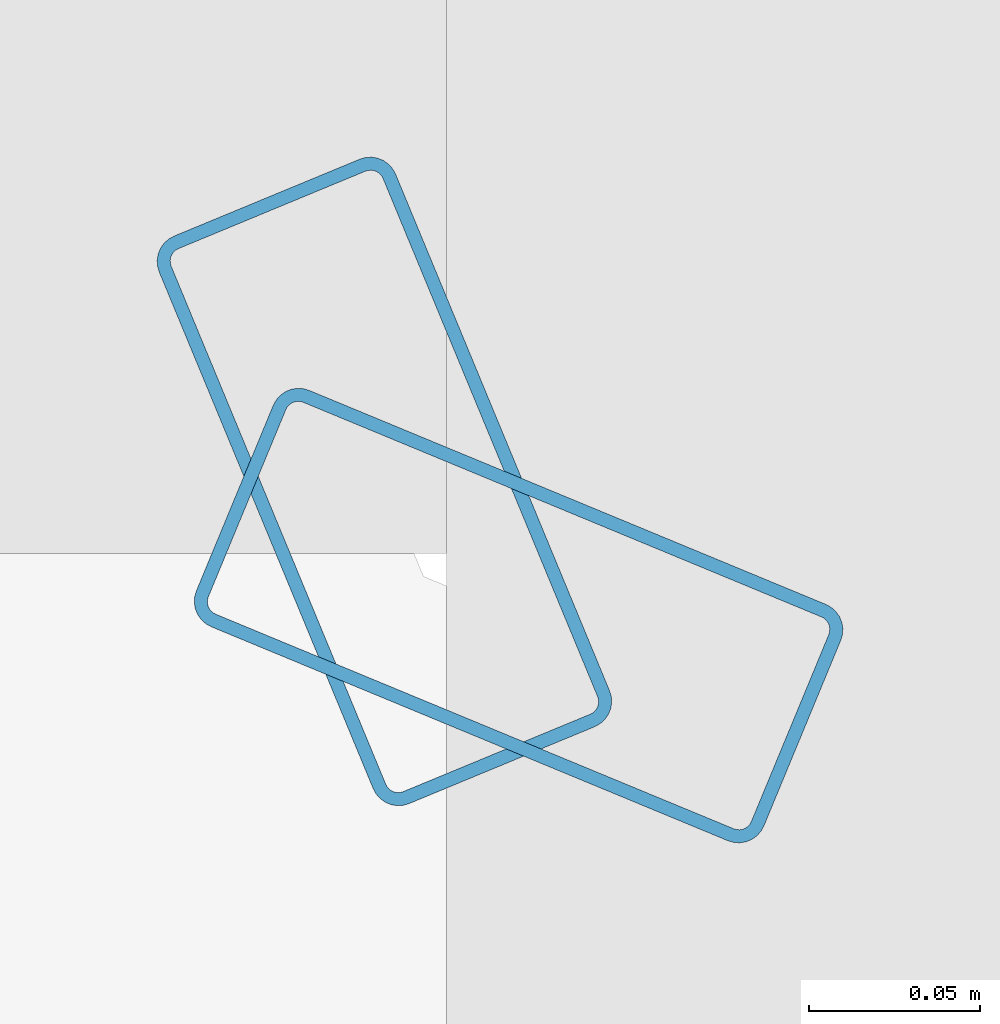
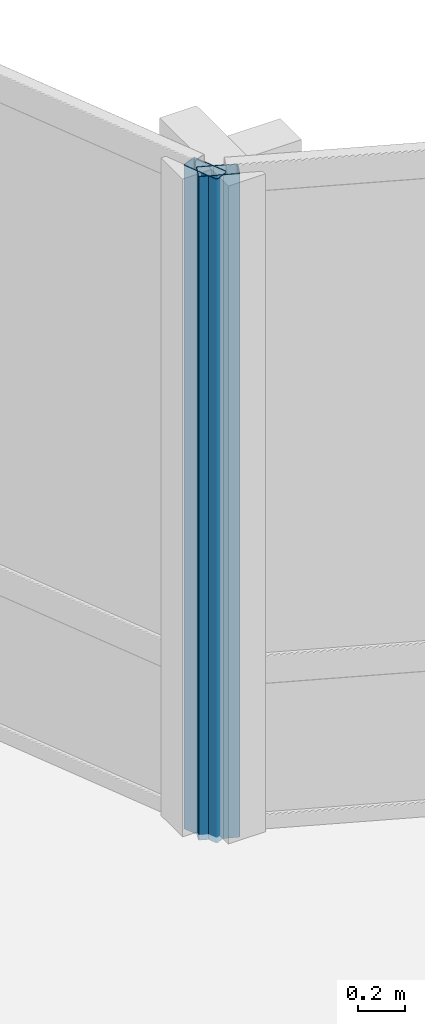
# One storey, part 8 of 28: 2 members, 2 elements without a shape of their own.
"""IFC4 building model written with IfcOpenShell, lengths in metres."""

from ifc_helpers import new_model, si_unit, direction, frame, origin, origin_2d, place, context, subcontext, project, spatial, hollow_rectangle, extrude, material, layer, layer_set, material_profile, profile_set, type_object, element, aggregate, save


model = new_model("IFC4")

# Units and contexts
model_context = context("Model", 3, precision=1e-05, world=origin(), true_north=direction((0.0, 1.0)))
body_context = subcontext(model_context, "Body", "Model", "MODEL_VIEW")
ifc_project = project(units=[si_unit("LENGTHUNIT", "METRE"), si_unit("AREAUNIT", "SQUARE_METRE"), si_unit("VOLUMEUNIT", "CUBIC_METRE"), si_unit("PLANEANGLEUNIT", "RADIAN"), si_unit("MASSUNIT", "GRAM", prefix="KILO")], contexts=[model_context])

# Site, building, storey
site_placement = place(None, origin())
site = spatial("IfcSite", under=ifc_project, at=site_placement, CompositionType="ELEMENT")
building_placement = place(site_placement, origin())
building = spatial("IfcBuilding", under=site, at=building_placement, Name="Solvaryn Broadcast Tower", CompositionType="ELEMENT")
storey_placement = place(building_placement, frame((0.0, 0.0, 154.39990234375)))
storey = spatial("IfcBuildingStorey", under=building, at=storey_placement, Name="L38", CompositionType="ELEMENT", Elevation=154.39990234375)

# Curtain wall, member
ifc_material_1 = material(Name="Aluminium and Terracotta Unitised Curtain Wall", Category="masonry")
ifc_layer = layer(ifc_material_1, 0.199951171875)
ifc_layer_set = layer_set([ifc_layer], Name="CW-SYS2-LOWMID")
curtain_wall_type = type_object("IfcCurtainWallType", Name="CW-SYS2-LOWMID", PredefinedType="NOTDEFINED", material=ifc_layer_set)
curtain_wall_1_placement = place(storey_placement, origin())
curtain_wall_1 = element("IfcCurtainWall", 1, at=curtain_wall_1_placement, inside=storey, type_object=curtain_wall_type, Name="L38 Curtain Wall CN1", PredefinedType="NOTDEFINED")
ifc_material_2 = material(Name="Anodised Aluminium 6063-T6", Category="aluminium")
ifc_material_profile = material_profile(ifc_material_2, hollow_rectangle(XDim=0.074951171875, YDim=0.179931640625, WallThickness=0.00390625, InnerFilletRadius=0.00390625, OuterFilletRadius=0.008056640625, at=origin_2d()))
ifc_profile_set = profile_set([ifc_material_profile], Name="Anodised Aluminium 6063-T6")
member_type = type_object("IfcMemberType", Name="CW-MUL-180", PredefinedType="MULLION", material=ifc_profile_set)
member_1_placement = place(storey_placement, frame((30.395751953125, 30.3564453125, 0.0), z_axis=(0.0, 0.0, 1.0), x_axis=(-0.382646127145, -0.923894983957, 0.0)))
member_1 = element("IfcMember", 2, at=member_1_placement, type_object=member_type, Name="CWS2 mullion 2", PredefinedType="MULLION", context=body_context, shape_type="SweptSolid", body=[
    extrude(hollow_rectangle(XDim=0.074951171875, YDim=0.179931640625, WallThickness=0.00390625, InnerFilletRadius=0.00390625, OuterFilletRadius=0.008056640625, at=origin_2d()), origin(), (0.0, 0.0, 1.0), 3.420166015625),
])
aggregate(curtain_wall_1, [member_1])

curtain_wall_2_placement = place(storey_placement, origin())
curtain_wall_2 = element("IfcCurtainWall", 3, at=curtain_wall_2_placement, inside=storey, type_object=curtain_wall_type, Name="L38 Curtain Wall CN2", PredefinedType="NOTDEFINED")
member_2_placement = place(storey_placement, frame((30.3564453125, 30.395751953125, 0.0), z_axis=(0.0, 0.0, 1.0), x_axis=(-0.923894983957, -0.382646127145, 0.0)))
member_2 = element("IfcMember", 4, at=member_2_placement, type_object=member_type, Name="CWS2 mullion 1", PredefinedType="MULLION", context=body_context, shape_type="SweptSolid", body=[
    extrude(hollow_rectangle(XDim=0.074951171875, YDim=0.179931640625, WallThickness=0.00390625, InnerFilletRadius=0.00390625, OuterFilletRadius=0.008056640625, at=origin_2d()), origin(), (0.0, 0.0, 1.0), 3.420166015625),
])
aggregate(curtain_wall_2, [member_2])

save(model, "model.ifc")
